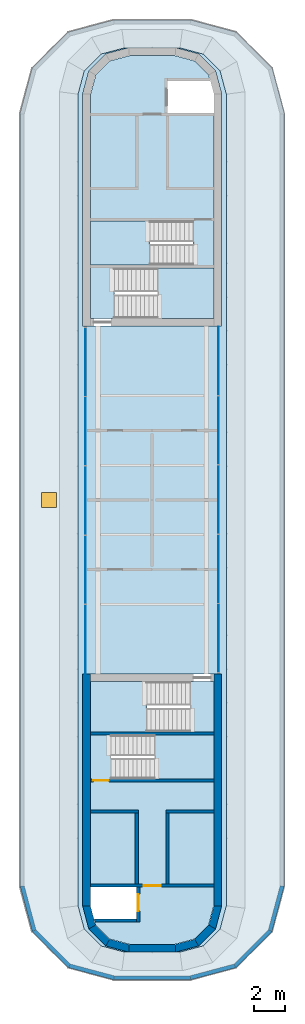
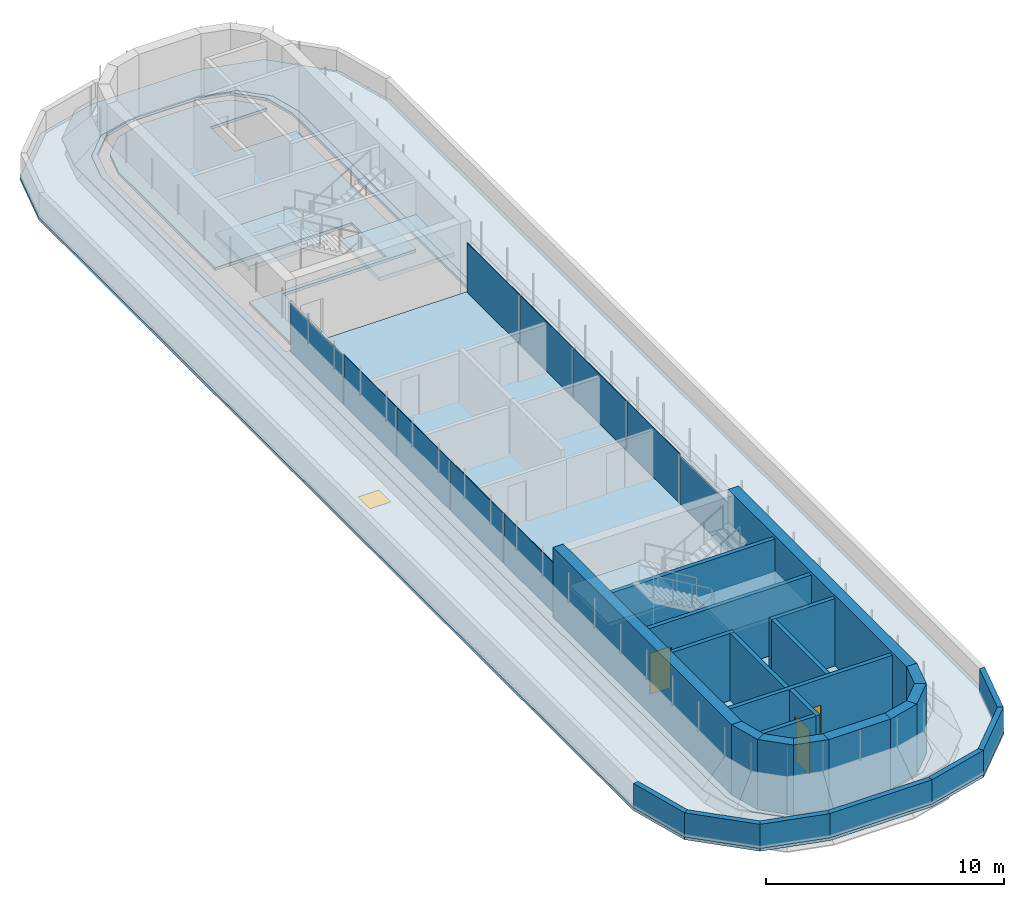
# One storey, part 2 of 6: 25 walls, 10 plates, 8 slabs, 3 doors, 1 window, 4 openings, 6 elements without a shape of their own.
"""IFC4 building model written with IfcOpenShell, lengths in metres."""

from ifc_helpers import new_model, si_unit, direction, frame, frame_2d, origin, origin_2d, place, context, subcontext, project, spatial, polyline, rectangle, outline, extrude, source, transform, mapped, material, layer, layer_set, type_object, element, fill, aggregate, save


model = new_model("IFC4")

# Units and contexts
model_context = context("Model", 3, precision=1e-05, world=origin(), true_north=direction((0.0, 1.0)))
body_context = subcontext(model_context, "Body", "Model", "MODEL_VIEW")
ifc_project = project(units=[si_unit("LENGTHUNIT", "METRE"), si_unit("AREAUNIT", "SQUARE_METRE"), si_unit("VOLUMEUNIT", "CUBIC_METRE"), si_unit("PLANEANGLEUNIT", "RADIAN"), si_unit("MASSUNIT", "GRAM", prefix="KILO")], contexts=[model_context])

# Site, building, storey
site_placement = place(None, origin())
site = spatial("IfcSite", under=ifc_project, at=site_placement, CompositionType="ELEMENT")
building_placement = place(site_placement, origin())
building = spatial("IfcBuilding", under=site, at=building_placement, Name="Zarbagh Exchange Tower", CompositionType="ELEMENT")
storey_placement = place(building_placement, frame((0.0, 0.0, 313.199951171875)))
storey = spatial("IfcBuildingStorey", under=building, at=storey_placement, Name="L77", CompositionType="ELEMENT", Elevation=313.199951171875)

# Slabs
ifc_material_1 = material(Name="Concrete C40/50", Category="concrete")
ifc_layer_1 = layer(ifc_material_1, 0.14990234375)
ifc_layer_set_1 = layer_set([ifc_layer_1], Name="Composite floor slab 150 C40/50")
slab_type_1 = type_object("IfcSlabType", Name="Composite floor slab 150 C40/50", PredefinedType="FLOOR", material=ifc_layer_set_1)
slab_1_placement = place(storey_placement, frame((0.0, 0.0, -0.14990234375)))
element("IfcSlab", 1, at=slab_1_placement, inside=storey, type_object=slab_type_1, Name="S5 composite floor slab", PredefinedType="FLOOR", context=body_context, shape_type="SweptSolid", body=[
    extrude(outline(polyline([(1.5, -29.25), (3.0, -28.84814453125), (4.09814453125, -27.75), (4.5, -26.25), (4.5, -11.25), (-4.5, -11.25), (-4.5, -26.25), (-4.09814453125, -27.75), (-3.0, -28.84814453125), (-1.5, -29.25), (-1.800048828125, -29.25), (-3.300048828125, -28.84814453125), (-4.398193359375, -27.75), (-4.800048828125, -26.25), (-4.800048828125, 26.25), (-4.398193359375, 27.75), (-3.300048828125, 28.84814453125), (-1.800048828125, 29.25), (-1.5, 29.25), (-3.0, 28.84814453125), (-4.09814453125, 27.75), (-4.5, 26.25), (-4.5, 11.25), (4.5, 11.25), (4.5, 26.25), (4.09814453125, 27.75), (3.0, 28.84814453125), (1.5, 29.25), (1.800048828125, 29.25), (3.300048828125, 28.84814453125), (4.398193359375, 27.75), (4.800048828125, 26.25), (4.800048828125, -26.25), (4.398193359375, -27.75), (3.300048828125, -28.84814453125), (1.800048828125, -29.25), (1.5, -29.25)])), origin(), (0.0, 0.0, 1.0), 0.14990234375),
])
ifc_layer_2 = layer(ifc_material_1, 0.14990234375)
ifc_layer_set_2 = layer_set([ifc_layer_2], Name="Core floor slab 150 C40/50")
slab_type_2 = type_object("IfcSlabType", Name="Core floor slab 150 C40/50", PredefinedType="FLOOR", material=ifc_layer_set_2)
slab_2_placement = place(storey_placement, frame((0.0, 0.0, -0.14990234375)))
element("IfcSlab", 2, at=slab_2_placement, inside=storey, type_object=slab_type_2, Name="S17 core N", PredefinedType="FLOOR", context=body_context, shape_type="SweptSolid", body=[
    extrude(outline(polyline([(-4.0, 11.75), (-4.0, 15.199951171875), (2.64990234375, 15.199951171875), (2.64990234375, 18.050048828125), (-4.0, 18.050048828125), (-4.0, 26.18408203125), (-3.64990234375, 27.4912109375), (-2.7412109375, 28.39990234375), (-1.43408203125, 28.75), (1.43408203125, 28.75), (2.7412109375, 28.39990234375), (3.64990234375, 27.4912109375), (3.857666015625, 26.715087890625), (3.754638671875, 27.10009765625), (1.0, 27.10009765625), (1.0, 25.050048828125), (4.0, 25.050048828125), (4.0, 15.0), (-2.449951171875, 15.0), (-2.449951171875, 11.75), (-4.0, 11.75)])), origin(), (0.0, 0.0, 1.0), 0.14990234375),
])
slab_3_placement = place(storey_placement, frame((0.0, 0.0, -0.14990234375)))
element("IfcSlab", 3, at=slab_3_placement, inside=storey, type_object=slab_type_2, Name="S17 core S", PredefinedType="FLOOR", context=body_context, shape_type="SweptSolid", body=[
    extrude(outline(polyline([(-2.7412109375, -28.39990234375), (-3.64990234375, -27.4912109375), (-3.857666015625, -26.715087890625), (-3.754638671875, -27.10009765625), (-1.0, -27.10009765625), (-1.0, -25.050048828125), (-4.0, -25.050048828125), (-4.0, -15.0), (2.449951171875, -15.0), (2.449951171875, -11.75), (4.0, -11.75), (4.0, -15.199951171875), (-2.64990234375, -15.199951171875), (-2.64990234375, -18.050048828125), (4.0, -18.050048828125), (4.0, -26.18408203125), (3.64990234375, -27.4912109375), (2.7412109375, -28.39990234375), (1.43408203125, -28.75), (-1.43408203125, -28.75), (-2.7412109375, -28.39990234375)])), origin(), (0.0, 0.0, 1.0), 0.14990234375),
])

# Slab, opening, window
ifc_layer_3 = layer(ifc_material_1, 0.14990234375)
ifc_layer_set_3 = layer_set([ifc_layer_3], Name="Crown terrace roof slab 150 C40/50")
slab_type_3 = type_object("IfcSlabType", Name="Crown terrace roof slab 150 C40/50", PredefinedType="ROOF", material=ifc_layer_set_3)
slab_4_placement = place(storey_placement, frame((0.0, 0.0, -0.14990234375)))
slab_4 = element("IfcSlab", 4, at=slab_4_placement, inside=storey, type_object=slab_type_3, Name="S11 crown terrace roof slab", PredefinedType="ROOF", context=body_context, shape_type="SweptSolid", body=[
    extrude(outline(polyline([(-2.487060546875, -31.050048828125), (-5.431640625, -30.260986328125), (-7.760986328125, -27.931640625), (-8.550048828125, -24.987060546875), (-8.550048828125, 24.987060546875), (-7.760986328125, 27.931640625), (-5.431640625, 30.260986328125), (-2.487060546875, 31.050048828125), (2.487060546875, 31.050048828125), (5.431640625, 30.260986328125), (7.760986328125, 27.931640625), (8.550048828125, 24.987060546875), (8.550048828125, -24.987060546875), (7.760986328125, -27.931640625), (5.431640625, -30.260986328125), (2.487060546875, -31.050048828125), (-2.487060546875, -31.050048828125)]), holes=[polyline([(3.300048828125, -28.84814453125), (4.398193359375, -27.75), (4.800048828125, -26.25), (4.800048828125, 26.25), (4.398193359375, 27.75), (3.300048828125, 28.84814453125), (1.800048828125, 29.25), (-1.800048828125, 29.25), (-3.300048828125, 28.84814453125), (-4.398193359375, 27.75), (-4.800048828125, 26.25), (-4.800048828125, -26.25), (-4.398193359375, -27.75), (-3.300048828125, -28.84814453125), (-1.800048828125, -29.25), (1.800048828125, -29.25), (3.300048828125, -28.84814453125)])]), origin(), (0.0, 0.0, 1.0), 0.14990234375),
])
opening_1_placement = place(slab_4_placement, frame((-6.675048828125, 0.0, 0.0)))
opening_1 = element("IfcOpeningElement", 5, at=opening_1_placement, cuts=slab_4, Name="Opening RH01", PredefinedType="OPENING", context=body_context, shape_type="SweptSolid", body=[
    extrude(rectangle(XDim=1.0, YDim=1.0, at=origin_2d()), frame((0.0, 0.0, -0.010009765625)), (0.0, 0.0, 1.0), 0.169921875),
])
ifc_material_2 = material(Name="Aluminium", Category="aluminium")
window_type = type_object("IfcWindowType", Name="Roof access hatch, insulated aluminium", PartitioningType="SINGLE_PANEL", PredefinedType="SKYLIGHT", material=ifc_material_2)
window_placement = place(opening_1_placement, frame((0.0, 0.0, 0.099853515625)))
window = element("IfcWindow", 6, at=window_placement, inside=storey, type_object=window_type, Name="RH01 roof access hatch", OverallHeight=1.0, OverallWidth=1.0, PartitioningType="SINGLE_PANEL", PredefinedType="SKYLIGHT", context=body_context, shape_type="SweptSolid", body=[
    extrude(rectangle(XDim=1.0, YDim=1.0, at=origin_2d()), origin(), (0.0, 0.0, 1.0), 0.050048828125),
])
fill(opening_1, window)

# Stair, slab
stair_type = type_object("IfcStairType", Name="Exit stair two-flight half-turn", PredefinedType="HALF_TURN_STAIR", material=ifc_material_1)
stair_1_placement = place(storey_placement, origin())
stair_1 = element("IfcStair", 7, at=stair_1_placement, inside=storey, type_object=stair_type, Name="exit stair ST1", PredefinedType="HALF_TURN_STAIR")
ifc_layer_4 = layer(ifc_material_1, 0.199951171875)
ifc_layer_set_4 = layer_set([ifc_layer_4], Name="Stair landing 200 mm")
slab_type_4 = type_object("IfcSlabType", Name="Stair landing 200 mm", PredefinedType="LANDING", material=ifc_layer_set_4)
slab_5_placement = place(storey_placement, frame((0.0, 0.0, 1.60009765625)))
slab_5 = element("IfcSlab", 8, at=slab_5_placement, type_object=slab_type_4, Name="ST1 landing 1", PredefinedType="LANDING", context=body_context, shape_type="SweptSolid", body=[
    extrude(outline(polyline([(-0.14990234375, 18.050048828125), (-4.0, 18.050048828125), (-4.0, 15.199951171875), (-0.14990234375, 15.199951171875), (-0.14990234375, 18.050048828125)])), origin(), (0.0, 0.0, 1.0), 0.199951171875),
])
aggregate(stair_1, [slab_5])

stair_2_placement = place(storey_placement, origin())
stair_2 = element("IfcStair", 9, at=stair_2_placement, inside=storey, type_object=stair_type, Name="exit stair ST2", PredefinedType="HALF_TURN_STAIR")
slab_6_placement = place(storey_placement, frame((0.0, 0.0, 1.60009765625)))
slab_6 = element("IfcSlab", 10, at=slab_6_placement, type_object=slab_type_4, Name="ST2 landing 1", PredefinedType="LANDING", context=body_context, shape_type="SweptSolid", body=[
    extrude(outline(polyline([(0.35009765625, 11.75), (4.0, 11.75), (4.0, 15.0), (0.35009765625, 15.0), (0.35009765625, 11.75)])), origin(), (0.0, 0.0, 1.0), 0.199951171875),
])
aggregate(stair_2, [slab_6])

stair_3_placement = place(storey_placement, origin())
stair_3 = element("IfcStair", 11, at=stair_3_placement, inside=storey, type_object=stair_type, Name="exit stair ST3", PredefinedType="HALF_TURN_STAIR")
slab_7_placement = place(storey_placement, frame((0.0, 0.0, 1.60009765625)))
slab_7 = element("IfcSlab", 12, at=slab_7_placement, type_object=slab_type_4, Name="ST3 landing 1", PredefinedType="LANDING", context=body_context, shape_type="SweptSolid", body=[
    extrude(outline(polyline([(0.14990234375, -18.050048828125), (4.0, -18.050048828125), (4.0, -15.199951171875), (0.14990234375, -15.199951171875), (0.14990234375, -18.050048828125)])), origin(), (0.0, 0.0, 1.0), 0.199951171875),
])
aggregate(stair_3, [slab_7])

stair_4_placement = place(storey_placement, origin())
stair_4 = element("IfcStair", 13, at=stair_4_placement, inside=storey, type_object=stair_type, Name="exit stair ST4", PredefinedType="HALF_TURN_STAIR")
slab_8_placement = place(storey_placement, frame((0.0, 0.0, 1.60009765625)))
slab_8 = element("IfcSlab", 14, at=slab_8_placement, type_object=slab_type_4, Name="ST4 landing 1", PredefinedType="LANDING", context=body_context, shape_type="SweptSolid", body=[
    extrude(outline(polyline([(-0.35009765625, -11.75), (-4.0, -11.75), (-4.0, -15.0), (-0.35009765625, -15.0), (-0.35009765625, -11.75)])), origin(), (0.0, 0.0, 1.0), 0.199951171875),
])
aggregate(stair_4, [slab_8])

# Curtain wall, plate
ifc_material_3 = material(Name="Anodised aluminium frame and glazing", Category="aluminium")
curtain_wall_type = type_object("IfcCurtainWallType", Name="CWF Crown tier glazing", PredefinedType="NOTDEFINED", material=ifc_material_3)
curtain_wall_1_placement = place(storey_placement, origin())
curtain_wall_1 = element("IfcCurtainWall", 15, at=curtain_wall_1_placement, inside=storey, type_object=curtain_wall_type, Name="CWF51 curtain wall", PredefinedType="NOTDEFINED")
ifc_material_4 = material(Name="Low-e double glazed unit, 6+12+6 mm")
ifc_layer_5 = layer(ifc_material_4, 0.028076171875)
ifc_layer_set_5 = layer_set([ifc_layer_5], Name="PAF Glazing panel, Low-e double glazed unit, 6+12+6 mm")
plate_type = type_object("IfcPlateType", Name="PAF Glazing panel, Low-e double glazed unit, 6+12+6 mm", PredefinedType="CURTAIN_PANEL", material=ifc_layer_set_5)
shared_shape_1 = source(origin(), body_context, "Body", "SweptSolid", [
    extrude(outline(polyline([(0.0, -0.013916015625), (4.424072265625, -0.013916015625), (4.424072265625, 0.013916015625), (0.0, 0.013916015625), (0.0, -0.013916015625)])), origin(), (0.0, 0.0, 1.0), 2.489990234375),
])
placement = place(storey_placement, origin())
plate_1 = element("IfcPlate", 16, at=placement, type_object=plate_type, Name="CWF51 glazing panel 1.1", PredefinedType="CURTAIN_PANEL", context=body_context, shape_type="MappedRepresentation", body=[
    mapped(shared_shape_1, transform((4.300048828125, -11.14990234375, 0.0), x_axis=(0.0, 1.0, 0.0), y_axis=(-1.0, 0.0, 0.0), z_axis=(0.0, 0.0, 1.0))),
])

curtain_wall_2_placement = place(storey_placement, origin())
curtain_wall_2 = element("IfcCurtainWall", 17, at=curtain_wall_2_placement, inside=storey, type_object=curtain_wall_type, Name="CWF52 curtain wall", PredefinedType="NOTDEFINED")
plate_2 = element("IfcPlate", 18, at=placement, type_object=plate_type, Name="CWF52 glazing panel 1.1", PredefinedType="CURTAIN_PANEL", context=body_context, shape_type="MappedRepresentation", body=[
    mapped(shared_shape_1, transform((-4.300048828125, 11.14990234375, 0.0), x_axis=(0.0, -1.0, 0.0), y_axis=(1.0, 0.0, 0.0), z_axis=(0.0, 0.0, 1.0))),
])

# Plate
shared_shape_2 = source(origin(), body_context, "Body", "SweptSolid", [
    extrude(outline(polyline([(0.0, -0.013916015625), (4.424072265625, -0.013916015625), (4.424072265625, 0.013916015625), (0.0, 0.013916015625), (0.0, -0.013916015625)])), origin(), (0.0, 0.0, 1.0), 2.550048828125),
])
plate_3 = element("IfcPlate", 19, at=placement, type_object=plate_type, Name="CWF51 glazing panel 1.2", PredefinedType="CURTAIN_PANEL", context=body_context, shape_type="MappedRepresentation", body=[
    mapped(shared_shape_2, transform((4.300048828125, -6.666015625, 0.0), x_axis=(0.0, 1.0, 0.0), y_axis=(-1.0, 0.0, 0.0), z_axis=(0.0, 0.0, 1.0))),
])

plate_4 = element("IfcPlate", 20, at=placement, type_object=plate_type, Name="CWF51 glazing panel 1.3", PredefinedType="CURTAIN_PANEL", context=body_context, shape_type="MappedRepresentation", body=[
    mapped(shared_shape_2, transform((4.300048828125, -2.181884765625, 0.0), x_axis=(0.0, 1.0, 0.0), y_axis=(-1.0, 0.0, 0.0), z_axis=(0.0, 0.0, 1.0))),
])

plate_5 = element("IfcPlate", 21, at=placement, type_object=plate_type, Name="CWF51 glazing panel 1.4", PredefinedType="CURTAIN_PANEL", context=body_context, shape_type="MappedRepresentation", body=[
    mapped(shared_shape_2, transform((4.300048828125, 2.302001953125, 0.0), x_axis=(0.0, 1.0, 0.0), y_axis=(-1.0, 0.0, 0.0), z_axis=(0.0, 0.0, 1.0))),
])

plate_6 = element("IfcPlate", 22, at=placement, type_object=plate_type, Name="CWF51 glazing panel 1.5", PredefinedType="CURTAIN_PANEL", context=body_context, shape_type="MappedRepresentation", body=[
    mapped(shared_shape_2, transform((4.300048828125, 6.7861328125, 0.0), x_axis=(0.0, 1.0, 0.0), y_axis=(-1.0, 0.0, 0.0), z_axis=(0.0, 0.0, 1.0))),
])

aggregate(curtain_wall_1, [plate_1, plate_3, plate_4, plate_5, plate_6])

plate_7 = element("IfcPlate", 23, at=placement, type_object=plate_type, Name="CWF52 glazing panel 1.2", PredefinedType="CURTAIN_PANEL", context=body_context, shape_type="MappedRepresentation", body=[
    mapped(shared_shape_2, transform((-4.300048828125, 6.666015625, 0.0), x_axis=(0.0, -1.0, 0.0), y_axis=(1.0, 0.0, 0.0), z_axis=(0.0, 0.0, 1.0))),
])

plate_8 = element("IfcPlate", 24, at=placement, type_object=plate_type, Name="CWF52 glazing panel 1.3", PredefinedType="CURTAIN_PANEL", context=body_context, shape_type="MappedRepresentation", body=[
    mapped(shared_shape_2, transform((-4.300048828125, 2.181884765625, 0.0), x_axis=(0.0, -1.0, 0.0), y_axis=(1.0, 0.0, 0.0), z_axis=(0.0, 0.0, 1.0))),
])

plate_9 = element("IfcPlate", 25, at=placement, type_object=plate_type, Name="CWF52 glazing panel 1.4", PredefinedType="CURTAIN_PANEL", context=body_context, shape_type="MappedRepresentation", body=[
    mapped(shared_shape_2, transform((-4.300048828125, -2.302001953125, 0.0), x_axis=(0.0, -1.0, 0.0), y_axis=(1.0, 0.0, 0.0), z_axis=(0.0, 0.0, 1.0))),
])

plate_10 = element("IfcPlate", 26, at=placement, type_object=plate_type, Name="CWF52 glazing panel 1.5", PredefinedType="CURTAIN_PANEL", context=body_context, shape_type="MappedRepresentation", body=[
    mapped(shared_shape_2, transform((-4.300048828125, -6.7861328125, 0.0), x_axis=(0.0, -1.0, 0.0), y_axis=(1.0, 0.0, 0.0), z_axis=(0.0, 0.0, 1.0))),
])

aggregate(curtain_wall_2, [plate_2, plate_7, plate_8, plate_9, plate_10])

# Walls
ifc_layer_6 = layer(ifc_material_1, 0.25)
ifc_layer_set_6 = layer_set([ifc_layer_6], Name="Parapet wall, concrete C40/50")
wall_type_1 = type_object("IfcWallType", Name="Parapet wall, concrete C40/50", PredefinedType="PARAPET", material=ifc_layer_set_6)
wall_1_placement = place(storey_placement, origin())
element("IfcWall", 27, at=wall_1_placement, inside=storey, type_object=wall_type_1, Name="roof parapet", PredefinedType="PARAPET", context=body_context, shape_type="SweptSolid", body=[
    extrude(outline(polyline([(-2.484375, -31.030029296875), (-5.42138671875, -30.242919921875), (-5.2919921875, -30.018798828125), (-2.451416015625, -30.780029296875), (-2.484375, -31.030029296875)])), origin(), (0.0, 0.0, 1.0), 1.219970703125),
])
wall_2_placement = place(storey_placement, origin())
element("IfcWall", 28, at=wall_2_placement, inside=storey, type_object=wall_type_1, Name="roof parapet", PredefinedType="PARAPET", context=body_context, shape_type="SweptSolid", body=[
    extrude(outline(polyline([(-5.42138671875, -30.242919921875), (-7.742919921875, -27.92138671875), (-7.518798828125, -27.7919921875), (-5.2919921875, -30.018798828125), (-5.42138671875, -30.242919921875)])), origin(), (0.0, 0.0, 1.0), 1.219970703125),
])
wall_3_placement = place(storey_placement, origin())
element("IfcWall", 29, at=wall_3_placement, inside=storey, type_object=wall_type_1, Name="roof parapet", PredefinedType="PARAPET", context=body_context, shape_type="SweptSolid", body=[
    extrude(outline(polyline([(-7.742919921875, -27.92138671875), (-8.530029296875, -24.984375), (-8.280029296875, -24.951416015625), (-7.518798828125, -27.7919921875), (-7.742919921875, -27.92138671875)])), origin(), (0.0, 0.0, 1.0), 1.219970703125),
])
wall_4_placement = place(storey_placement, origin())
element("IfcWall", 30, at=wall_4_placement, inside=storey, type_object=wall_type_1, Name="roof parapet", PredefinedType="PARAPET", context=body_context, shape_type="SweptSolid", body=[
    extrude(outline(polyline([(8.530029296875, -24.984375), (7.742919921875, -27.92138671875), (7.518798828125, -27.7919921875), (8.280029296875, -24.951416015625), (8.530029296875, -24.984375)])), origin(), (0.0, 0.0, 1.0), 1.219970703125),
])
wall_5_placement = place(storey_placement, origin())
element("IfcWall", 31, at=wall_5_placement, inside=storey, type_object=wall_type_1, Name="roof parapet", PredefinedType="PARAPET", context=body_context, shape_type="SweptSolid", body=[
    extrude(outline(polyline([(7.742919921875, -27.92138671875), (5.42138671875, -30.242919921875), (5.2919921875, -30.018798828125), (7.518798828125, -27.7919921875), (7.742919921875, -27.92138671875)])), origin(), (0.0, 0.0, 1.0), 1.219970703125),
])
wall_6_placement = place(storey_placement, origin())
element("IfcWall", 32, at=wall_6_placement, inside=storey, type_object=wall_type_1, Name="roof parapet", PredefinedType="PARAPET", context=body_context, shape_type="SweptSolid", body=[
    extrude(outline(polyline([(5.42138671875, -30.242919921875), (2.484375, -31.030029296875), (2.451416015625, -30.780029296875), (5.2919921875, -30.018798828125), (5.42138671875, -30.242919921875)])), origin(), (0.0, 0.0, 1.0), 1.219970703125),
])
wall_7_placement = place(storey_placement, origin())
element("IfcWall", 33, at=wall_7_placement, inside=storey, type_object=wall_type_1, Name="roof parapet", PredefinedType="PARAPET", context=body_context, shape_type="SweptSolid", body=[
    extrude(outline(polyline([(2.484375, -31.030029296875), (-2.484375, -31.030029296875), (-2.451416015625, -30.780029296875), (2.451416015625, -30.780029296875), (2.484375, -31.030029296875)])), origin(), (0.0, 0.0, 1.0), 1.219970703125),
])
ifc_layer_7 = layer(ifc_material_1, 0.5)
ifc_layer_set_7 = layer_set([ifc_layer_7], Name="RC core corner wall 500 C40/50")
wall_type_2 = type_object("IfcWallType", Name="RC core corner wall 500 C40/50", PredefinedType="SHEAR", material=ifc_layer_set_7)
wall_8_placement = place(storey_placement, origin())
element("IfcWall", 34, at=wall_8_placement, inside=storey, type_object=wall_type_2, Name="CW10 core S corner W", PredefinedType="SHEAR", context=body_context, shape_type="SweptSolid", body=[
    extrude(outline(polyline([(-4.5, -26.25), (-4.09814453125, -27.75), (-3.6650390625, -27.5), (-4.0, -26.25), (-4.5, -26.25)])), origin(), (0.0, 0.0, 1.0), 3.60009765625),
])
wall_9_placement = place(storey_placement, origin())
element("IfcWall", 35, at=wall_9_placement, inside=storey, type_object=wall_type_2, Name="CW10 core S corner W", PredefinedType="SHEAR", context=body_context, shape_type="SweptSolid", body=[
    extrude(outline(polyline([(-4.09814453125, -27.75), (-3.0, -28.84814453125), (-2.75, -28.4150390625), (-3.6650390625, -27.5), (-4.09814453125, -27.75)])), origin(), (0.0, 0.0, 1.0), 3.60009765625),
])
wall_10_placement = place(storey_placement, origin())
element("IfcWall", 36, at=wall_10_placement, inside=storey, type_object=wall_type_2, Name="CW10 core S corner W", PredefinedType="SHEAR", context=body_context, shape_type="SweptSolid", body=[
    extrude(outline(polyline([(-3.0, -28.84814453125), (-1.5, -29.25), (-1.5, -28.75), (-2.75, -28.4150390625), (-3.0, -28.84814453125)])), origin(), (0.0, 0.0, 1.0), 3.60009765625),
])
wall_11_placement = place(storey_placement, origin())
element("IfcWall", 37, at=wall_11_placement, inside=storey, type_object=wall_type_2, Name="CW10 core S corner E", PredefinedType="SHEAR", context=body_context, shape_type="SweptSolid", body=[
    extrude(outline(polyline([(4.5, -26.25), (4.09814453125, -27.75), (3.6650390625, -27.5), (4.0, -26.25), (4.5, -26.25)])), origin(), (0.0, 0.0, 1.0), 3.60009765625),
])
wall_12_placement = place(storey_placement, origin())
element("IfcWall", 38, at=wall_12_placement, inside=storey, type_object=wall_type_2, Name="CW10 core S corner E", PredefinedType="SHEAR", context=body_context, shape_type="SweptSolid", body=[
    extrude(outline(polyline([(4.09814453125, -27.75), (3.0, -28.84814453125), (2.75, -28.4150390625), (3.6650390625, -27.5), (4.09814453125, -27.75)])), origin(), (0.0, 0.0, 1.0), 3.60009765625),
])
wall_13_placement = place(storey_placement, origin())
element("IfcWall", 39, at=wall_13_placement, inside=storey, type_object=wall_type_2, Name="CW10 core S corner E", PredefinedType="SHEAR", context=body_context, shape_type="SweptSolid", body=[
    extrude(outline(polyline([(3.0, -28.84814453125), (1.5, -29.25), (1.5, -28.75), (2.75, -28.4150390625), (3.0, -28.84814453125)])), origin(), (0.0, 0.0, 1.0), 3.60009765625),
])
ifc_layer_8 = layer(ifc_material_1, 0.5)
ifc_layer_set_8 = layer_set([ifc_layer_8], Name="RC core wall 500 C40/50")
wall_type_3 = type_object("IfcWallType", Name="RC core wall 500 C40/50", PredefinedType="SHEAR", material=ifc_layer_set_8)
for number, where, z_axis, x_axis, name in (
    (40, (-4.25, -11.25, 0.0), (0.0, 0.0, 1.0), (0.0, -1.0, 0.0), "CW9 core S W"),
    (41, (4.25, -11.25, 0.0), (0.0, 0.0, 1.0), (0.0, -1.0, 0.0), "CW9 core S E"),
):
    element("IfcWall", number, at=place(storey_placement, frame(where, z_axis=z_axis, x_axis=x_axis)), inside=storey, type_object=wall_type_3, Name=name, PredefinedType="SHEAR", context=body_context, shape_type="SweptSolid", body=[
        extrude(rectangle(XDim=15.0, YDim=0.5, at=frame_2d((7.5, 0.0))), origin(), (0.0, 0.0, 1.0), 3.60009765625),
    ])
wall_14_placement = place(storey_placement, frame((-1.5, -29.0, 0.0), z_axis=(0.0, 0.0, 1.0), x_axis=(1.0, 0.0, 0.0)))
element("IfcWall", 42, at=wall_14_placement, inside=storey, type_object=wall_type_3, Name="CW9 core S outer end", PredefinedType="SHEAR", context=body_context, shape_type="SweptSolid", body=[
    extrude(rectangle(XDim=3.0, YDim=0.5, at=frame_2d((1.5, 0.0))), origin(), (0.0, 0.0, 1.0), 3.60009765625),
])
ifc_material_5 = material(Name="Dense blockwork", Category="masonry")
ifc_layer_9 = layer(ifc_material_5, 0.199951171875)
ifc_layer_set_9 = layer_set([ifc_layer_9], Name="Shaft wall 200 mm blockwork")
wall_type_4 = type_object("IfcWallType", Name="Shaft wall 200 mm blockwork", PredefinedType="PARTITIONING", material=ifc_layer_set_9)
wall_15_placement = place(storey_placement, frame((4.0, -20.14990234375, 0.0), z_axis=(0.0, 0.0, 1.0), x_axis=(-1.0, 0.0, 0.0)))
element("IfcWall", 43, at=wall_15_placement, inside=storey, type_object=wall_type_4, Name="South core shaft wall AB-W", PredefinedType="PARTITIONING", context=body_context, shape_type="SweptSolid", body=[
    extrude(rectangle(XDim=3.10009765625, YDim=0.199951171875, at=frame_2d((1.550048828125, 0.0))), origin(), (0.0, 0.0, 1.0), 3.449951171875),
])
wall_16_placement = place(storey_placement, frame((1.0, -24.85009765625, 0.0), z_axis=(0.0, 0.0, 1.0), x_axis=(0.0, 1.0, 0.0)))
element("IfcWall", 44, at=wall_16_placement, inside=storey, type_object=wall_type_4, Name="South core shaft wall LW-W", PredefinedType="PARTITIONING", context=body_context, shape_type="SweptSolid", body=[
    extrude(rectangle(XDim=4.60009765625, YDim=0.199951171875, at=frame_2d((2.300048828125, 0.0))), origin(), (0.0, 0.0, 1.0), 3.449951171875),
])
wall_17_placement = place(storey_placement, frame((-0.89990234375, -20.14990234375, 0.0), z_axis=(0.0, 0.0, 1.0), x_axis=(-1.0, 0.0, 0.0)))
element("IfcWall", 45, at=wall_17_placement, inside=storey, type_object=wall_type_4, Name="South core shaft wall AB-E", PredefinedType="PARTITIONING", context=body_context, shape_type="SweptSolid", body=[
    extrude(rectangle(XDim=3.10009765625, YDim=0.199951171875, at=frame_2d((1.550048828125, 0.0))), origin(), (0.0, 0.0, 1.0), 3.449951171875),
])
wall_18_placement = place(storey_placement, frame((-1.0, -24.85009765625, 0.0), z_axis=(0.0, 0.0, 1.0), x_axis=(0.0, 1.0, 0.0)))
element("IfcWall", 46, at=wall_18_placement, inside=storey, type_object=wall_type_4, Name="South core shaft wall LW-E", PredefinedType="PARTITIONING", context=body_context, shape_type="SweptSolid", body=[
    extrude(rectangle(XDim=4.60009765625, YDim=0.199951171875, at=frame_2d((2.300048828125, 0.0))), origin(), (0.0, 0.0, 1.0), 3.449951171875),
])

# Wall, opening, door
ifc_layer_10 = layer(ifc_material_1, 0.199951171875)
ifc_layer_set_10 = layer_set([ifc_layer_10], Name="Stair enclosure wall 200 mm RC C40/50")
wall_type_5 = type_object("IfcWallType", Name="Stair enclosure wall 200 mm RC C40/50", PredefinedType="SHEAR", material=ifc_layer_set_10)
wall_19_placement = place(storey_placement, frame((4.0, -24.949951171875, 0.0), z_axis=(0.0, 0.0, 1.0), x_axis=(-1.0, 0.0, 0.0)))
wall_19 = element("IfcWall", 47, at=wall_19_placement, inside=storey, type_object=wall_type_5, Name="South core lift shaft wall FFA", PredefinedType="SHEAR", context=body_context, shape_type="SweptSolid", body=[
    extrude(rectangle(XDim=8.0, YDim=0.199951171875, at=frame_2d((4.0, 0.0))), origin(), (0.0, 0.0, 1.0), 3.449951171875),
])
opening_2_placement = place(wall_19_placement, frame((3.449951171875, 0.0, 0.0)))
opening_2 = element("IfcOpeningElement", 48, at=opening_2_placement, cuts=wall_19, Name="Opening CD2-1100", PredefinedType="OPENING", context=body_context, shape_type="SweptSolid", body=[
    extrude(rectangle(XDim=1.10009765625, YDim=2.10009765625, at=frame_2d((0.550048828125, 1.050048828125))), frame((0.0, 0.10986328125, 0.0), z_axis=(0.0, -1.0, 0.0), x_axis=(1.0, 0.0, 0.0)), (0.0, 0.0, 1.0), 0.219970703125),
])
ifc_material_6 = material(Name="Steel", Category="steel")
door_type_1 = type_object("IfcDoorType", Name="Firefighting lobby door 1100 x 2100", OperationType="NOTDEFINED", PredefinedType="DOOR", material=ifc_material_6)
door_1_placement = place(opening_2_placement, origin())
door_1 = element("IfcDoor", 49, at=door_1_placement, inside=storey, type_object=door_type_1, Name="South core firefighting lobby door CL-FF", OperationType="SINGLE_SWING_LEFT", OverallHeight=2.10009765625, OverallWidth=1.10009765625, PredefinedType="DOOR", context=body_context, shape_type="SweptSolid", body=[
    extrude(rectangle(XDim=1.10009765625, YDim=2.10009765625, at=frame_2d((0.550048828125, 1.050048828125))), frame((0.0, 0.02490234375, 0.0), z_axis=(0.0, -1.0, 0.0), x_axis=(1.0, 0.0, 0.0)), (0.0, 0.0, 1.0), 0.050048828125),
])
fill(opening_2, door_1)

wall_20_placement = place(storey_placement, frame((-0.89990234375, -27.300048828125, 0.0), z_axis=(0.0, 0.0, 1.0), x_axis=(0.0, 1.0, 0.0)))
wall_20 = element("IfcWall", 50, at=wall_20_placement, inside=storey, type_object=wall_type_5, Name="South core lift shaft wall FFL", PredefinedType="SHEAR", context=body_context, shape_type="SweptSolid", body=[
    extrude(rectangle(XDim=2.25, YDim=0.199951171875, at=frame_2d((1.125, 0.0))), origin(), (0.0, 0.0, 1.0), 3.449951171875),
])
opening_3_placement = place(wall_20_placement, frame((0.699951171875, 0.0, 0.0)))
opening_3 = element("IfcOpeningElement", 51, at=opening_3_placement, cuts=wall_20, Name="Opening LD-1100", PredefinedType="OPENING", context=body_context, shape_type="SweptSolid", body=[
    extrude(rectangle(XDim=1.10009765625, YDim=2.300048828125, at=frame_2d((0.550048828125, 1.14990234375))), frame((0.0, 0.10986328125, 0.0), z_axis=(0.0, -1.0, 0.0), x_axis=(1.0, 0.0, 0.0)), (0.0, 0.0, 1.0), 0.219970703125),
])
ifc_material_7 = material(Name="Stainless steel", Category="steel")
door_type_2 = type_object("IfcDoorType", Name="Lift landing door 1100 x 2300", OperationType="NOTDEFINED", PredefinedType="DOOR", material=ifc_material_7)
door_2_placement = place(opening_3_placement, origin())
door_2 = element("IfcDoor", 52, at=door_2_placement, inside=storey, type_object=door_type_2, Name="South core lift landing door LD-F", OperationType="DOUBLE_DOOR_SLIDING", OverallHeight=2.300048828125, OverallWidth=1.10009765625, PredefinedType="DOOR", context=body_context, shape_type="SweptSolid", body=[
    extrude(rectangle(XDim=1.10009765625, YDim=2.300048828125, at=frame_2d((0.550048828125, 1.14990234375))), frame((0.0, 0.02490234375, 0.0), z_axis=(0.0, -1.0, 0.0), x_axis=(1.0, 0.0, 0.0)), (0.0, 0.0, 1.0), 0.050048828125),
])
fill(opening_3, door_2)

# Wall
wall_21_placement = place(storey_placement, origin())
element("IfcWall", 53, at=wall_21_placement, inside=storey, type_object=wall_type_5, Name="South core lift shaft wall FFX", PredefinedType="SHEAR", context=body_context, shape_type="SweptSolid", body=[
    extrude(outline(polyline([(-1.0, -27.10009765625), (-3.754638671875, -27.10009765625), (-3.700927734375, -27.300048828125), (-1.0, -27.300048828125), (-1.0, -27.10009765625)])), origin(), (0.0, 0.0, 1.0), 3.449951171875),
])

# Wall, opening, door
wall_22_placement = place(storey_placement, frame((4.0, -18.14990234375, 0.0), z_axis=(0.0, 0.0, 1.0), x_axis=(-1.0, 0.0, 0.0)))
wall_22 = element("IfcWall", 54, at=wall_22_placement, inside=storey, type_object=wall_type_5, Name="South core stair wall BS", PredefinedType="SHEAR", context=body_context, shape_type="SweptSolid", body=[
    extrude(rectangle(XDim=8.0, YDim=0.199951171875, at=frame_2d((4.0, 0.0))), origin(), (0.0, 0.0, 1.0), 3.449951171875),
])
opening_4_placement = place(wall_22_placement, frame((6.800048828125, 0.0, 0.0)))
opening_4 = element("IfcOpeningElement", 55, at=opening_4_placement, cuts=wall_22, Name="Opening SD2-1000", PredefinedType="OPENING", context=body_context, shape_type="SweptSolid", body=[
    extrude(rectangle(XDim=1.0, YDim=2.10009765625, at=frame_2d((0.5, 1.050048828125))), frame((0.0, 0.10986328125, 0.0), z_axis=(0.0, -1.0, 0.0), x_axis=(1.0, 0.0, 0.0)), (0.0, 0.0, 1.0), 0.219970703125),
])
door_type_3 = type_object("IfcDoorType", Name="Stair to lobby door 1000 x 2100", OperationType="NOTDEFINED", PredefinedType="DOOR", material=ifc_material_6)
door_3_placement = place(opening_4_placement, origin())
door_3 = element("IfcDoor", 56, at=door_3_placement, inside=storey, type_object=door_type_3, Name="South core stair door ST1-PL", OperationType="SINGLE_SWING_LEFT", OverallHeight=2.10009765625, OverallWidth=1.0, PredefinedType="DOOR", context=body_context, shape_type="SweptSolid", body=[
    extrude(rectangle(XDim=1.0, YDim=2.10009765625, at=frame_2d((0.5, 1.050048828125))), frame((0.0, 0.02490234375, 0.0), z_axis=(0.0, -1.0, 0.0), x_axis=(1.0, 0.0, 0.0)), (0.0, 0.0, 1.0), 0.050048828125),
])
fill(opening_4, door_3)

# Wall
wall_23_placement = place(storey_placement, frame((4.0, -15.10009765625, 0.0), z_axis=(0.0, 0.0, 1.0), x_axis=(-1.0, 0.0, 0.0)))
element("IfcWall", 57, at=wall_23_placement, inside=storey, type_object=wall_type_5, Name="South core stair wall ST12", PredefinedType="SHEAR", context=body_context, shape_type="SweptSolid", body=[
    extrude(rectangle(XDim=8.0, YDim=0.199951171875, at=frame_2d((4.0, 0.0))), origin(), (0.0, 0.0, 1.0), 3.449951171875),
])

save(model, "model.ifc")
